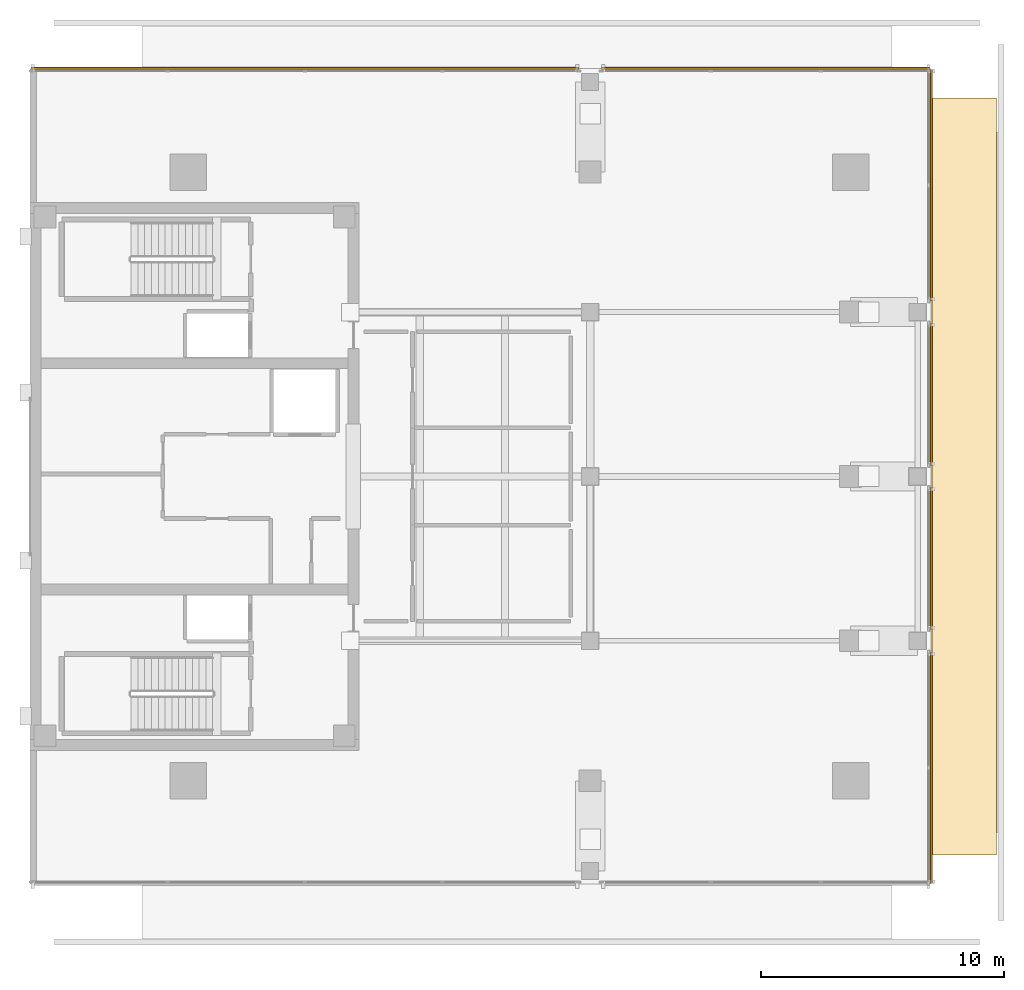
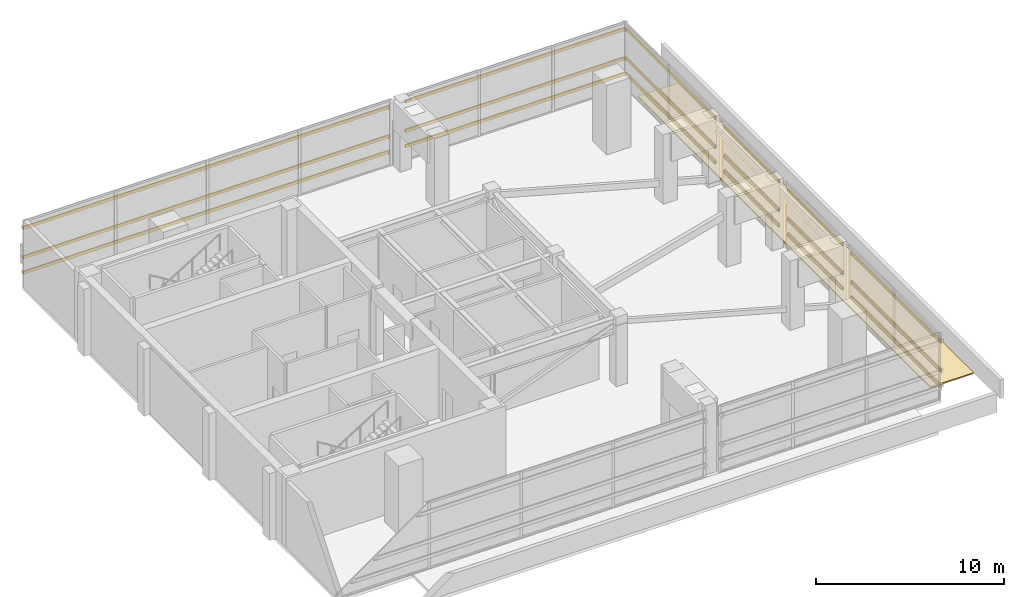
# One storey, part 13 of 13: 18 shading devices, 1 covering.
"""IFC4 building model written with IfcOpenShell, lengths in metres."""

from ifc_helpers import new_model, si_unit, direction, frame, origin, origin_2d, place, context, subcontext, project, spatial, polyline, rectangle, outline, extrude, material, layer, layer_set, material_profile, profile_set, type_object, element, save


model = new_model("IFC4")

# Units and contexts
model_context = context("Model", 3, precision=1e-05, world=origin(), true_north=direction((0.0, 1.0)))
body_context = subcontext(model_context, "Body", "Model", "MODEL_VIEW")
ifc_project = project(units=[si_unit("LENGTHUNIT", "METRE"), si_unit("AREAUNIT", "SQUARE_METRE"), si_unit("VOLUMEUNIT", "CUBIC_METRE"), si_unit("PLANEANGLEUNIT", "RADIAN"), si_unit("MASSUNIT", "GRAM", prefix="KILO")], contexts=[model_context])

# Site, building, storey
site_placement = place(None, origin())
site = spatial("IfcSite", under=ifc_project, at=site_placement, CompositionType="ELEMENT")
building_placement = place(site_placement, origin())
building = spatial("IfcBuilding", under=site, at=building_placement, Name="Kinhvarn Gate Tower", CompositionType="ELEMENT")
storey_placement = place(building_placement, frame((0.0, 0.0, 303.050048828125)))
storey = spatial("IfcBuildingStorey", under=building, at=storey_placement, Name="L80", CompositionType="ELEMENT", Elevation=303.050048828125)

# Covering
ifc_material_1 = material(Name="Insulated EPDM waterproof roof build-up")
ifc_layer = layer(ifc_material_1, 0.080078125)
ifc_layer_set = layer_set([ifc_layer], Name="Insulated EPDM waterproof roof build-up")
covering_type = type_object("IfcCoveringType", Name="COV-ROOF-80", PredefinedType="ROOFING", material=ifc_layer_set)
covering_placement = place(storey_placement, origin())
element("IfcCovering", 1, at=covering_placement, inside=storey, type_object=covering_type, Name="Crown Waterproof EPDM Roof Covering (L80)", PredefinedType="ROOFING", context=body_context, shape_type="SweptSolid", body=[
    extrude(outline(polyline([(44.199951171875, 9.699951171875), (44.199951171875, 40.800048828125), (41.550048828125, 40.800048828125), (41.550048828125, 9.699951171875), (44.199951171875, 9.699951171875)])), origin(), (0.0, 0.0, 1.0), 0.079833984375),
])

# Shading devices
ifc_material_2 = material(Name="Anodised aluminium AW-6063", Category="aluminium")
ifc_material_profile = material_profile(ifc_material_2, rectangle(XDim=0.074951171875, YDim=0.199951171875, at=origin_2d()), Name="LOUVRE 75x200")
ifc_profile_set = profile_set([ifc_material_profile], Name="Anodised aluminium AW-6063")
shading_device_type = type_object("IfcShadingDeviceType", Name="SHD-LVR-200", PredefinedType="JALOUSIE", material=ifc_profile_set)
for number, where, z_axis, x_axis, name in (
    (2, (41.4599609375, 42.012451171875, 0.849853515625), (-1.0, 0.0, 0.0), (0.0, -1.0, 0.0), "Anodised Aluminium Acoustic Plant Louvre Blade 75x200 mm (L80)"),
    (3, (41.4599609375, 42.012451171875, 1.849853515625), (-1.0, 0.0, 0.0), (0.0, -1.0, 0.0), "Anodised Aluminium Acoustic Plant Louvre Blade 75x200 mm (L80)"),
    (4, (41.4599609375, 42.012451171875, 3.75), (-1.0, 0.0, 0.0), (0.0, -1.0, 0.0), "Anodised Aluminium Acoustic Plant Louvre Blade 75x200 mm (L80)"),
):
    element("IfcShadingDevice", number, at=place(storey_placement, frame(where, z_axis=z_axis, x_axis=x_axis)), inside=storey, type_object=shading_device_type, Name=name, PredefinedType="JALOUSIE", context=body_context, shape_type="SweptSolid", body=[
        extrude(rectangle(XDim=0.074951171875, YDim=0.199951171875, at=origin_2d()), origin(), (0.0, 0.0, 1.0), 13.489990234375),
    ])
for number, where, z_axis, x_axis, name in (
    (5, (27.030029296875, 42.012451171875, 0.849853515625), (-1.0, 0.0, 0.0), (0.0, -1.0, 0.0), "Anodised Aluminium Acoustic Plant Louvre Blade 75x200 mm (L80)"),
    (6, (27.030029296875, 42.012451171875, 1.849853515625), (-1.0, 0.0, 0.0), (0.0, -1.0, 0.0), "Anodised Aluminium Acoustic Plant Louvre Blade 75x200 mm (L80)"),
    (7, (27.030029296875, 42.012451171875, 3.75), (-1.0, 0.0, 0.0), (0.0, -1.0, 0.0), "Anodised Aluminium Acoustic Plant Louvre Blade 75x200 mm (L80)"),
):
    element("IfcShadingDevice", number, at=place(storey_placement, frame(where, z_axis=z_axis, x_axis=x_axis)), inside=storey, type_object=shading_device_type, Name=name, PredefinedType="JALOUSIE", context=body_context, shape_type="SweptSolid", body=[
        extrude(rectangle(XDim=0.074951171875, YDim=0.199951171875, at=origin_2d()), origin(), (0.0, 0.0, 1.0), 22.489990234375),
    ])
for number, where, z_axis, x_axis, name in (
    (8, (41.512451171875, 8.5400390625, 0.849853515625), (0.0, 1.0, 0.0), (-1.0, 0.0, 0.0), "Anodised Aluminium Acoustic Plant Louvre Blade 75x200 mm (L80)"),
    (9, (41.512451171875, 8.5400390625, 1.849853515625), (0.0, 1.0, 0.0), (-1.0, 0.0, 0.0), "Anodised Aluminium Acoustic Plant Louvre Blade 75x200 mm (L80)"),
    (10, (41.512451171875, 8.5400390625, 3.75), (0.0, 1.0, 0.0), (-1.0, 0.0, 0.0), "Anodised Aluminium Acoustic Plant Louvre Blade 75x200 mm (L80)"),
):
    element("IfcShadingDevice", number, at=place(storey_placement, frame(where, z_axis=z_axis, x_axis=x_axis)), inside=storey, type_object=shading_device_type, Name=name, PredefinedType="JALOUSIE", context=body_context, shape_type="SweptSolid", body=[
        extrude(rectangle(XDim=0.074951171875, YDim=0.199951171875, at=origin_2d()), origin(), (0.0, 0.0, 1.0), 9.489990234375),
    ])
for number, where, z_axis, x_axis, name in (
    (11, (41.512451171875, 18.969970703125, 0.849853515625), (0.0, 1.0, 0.0), (-1.0, 0.0, 0.0), "Anodised Aluminium Acoustic Plant Louvre Blade 75x200 mm (L80)"),
    (12, (41.512451171875, 18.969970703125, 1.849853515625), (0.0, 1.0, 0.0), (-1.0, 0.0, 0.0), "Anodised Aluminium Acoustic Plant Louvre Blade 75x200 mm (L80)"),
    (13, (41.512451171875, 18.969970703125, 3.75), (0.0, 1.0, 0.0), (-1.0, 0.0, 0.0), "Anodised Aluminium Acoustic Plant Louvre Blade 75x200 mm (L80)"),
    (14, (41.512451171875, 25.719970703125, 0.849853515625), (0.0, 1.0, 0.0), (-1.0, 0.0, 0.0), "Anodised Aluminium Acoustic Plant Louvre Blade 75x200 mm (L80)"),
    (15, (41.512451171875, 25.719970703125, 1.849853515625), (0.0, 1.0, 0.0), (-1.0, 0.0, 0.0), "Anodised Aluminium Acoustic Plant Louvre Blade 75x200 mm (L80)"),
    (16, (41.512451171875, 25.719970703125, 3.75), (0.0, 1.0, 0.0), (-1.0, 0.0, 0.0), "Anodised Aluminium Acoustic Plant Louvre Blade 75x200 mm (L80)"),
):
    element("IfcShadingDevice", number, at=place(storey_placement, frame(where, z_axis=z_axis, x_axis=x_axis)), inside=storey, type_object=shading_device_type, Name=name, PredefinedType="JALOUSIE", context=body_context, shape_type="SweptSolid", body=[
        extrude(rectangle(XDim=0.074951171875, YDim=0.199951171875, at=origin_2d()), origin(), (0.0, 0.0, 1.0), 5.81005859375),
    ])
for number, where, z_axis, x_axis, name in (
    (17, (41.512451171875, 32.469970703125, 0.849853515625), (0.0, 1.0, 0.0), (-1.0, 0.0, 0.0), "Anodised Aluminium Acoustic Plant Louvre Blade 75x200 mm (L80)"),
    (18, (41.512451171875, 32.469970703125, 1.849853515625), (0.0, 1.0, 0.0), (-1.0, 0.0, 0.0), "Anodised Aluminium Acoustic Plant Louvre Blade 75x200 mm (L80)"),
    (19, (41.512451171875, 32.469970703125, 3.75), (0.0, 1.0, 0.0), (-1.0, 0.0, 0.0), "Anodised Aluminium Acoustic Plant Louvre Blade 75x200 mm (L80)"),
):
    element("IfcShadingDevice", number, at=place(storey_placement, frame(where, z_axis=z_axis, x_axis=x_axis)), inside=storey, type_object=shading_device_type, Name=name, PredefinedType="JALOUSIE", context=body_context, shape_type="SweptSolid", body=[
        extrude(rectangle(XDim=0.074951171875, YDim=0.199951171875, at=origin_2d()), origin(), (0.0, 0.0, 1.0), 9.489990234375),
    ])

save(model, "model.ifc")
